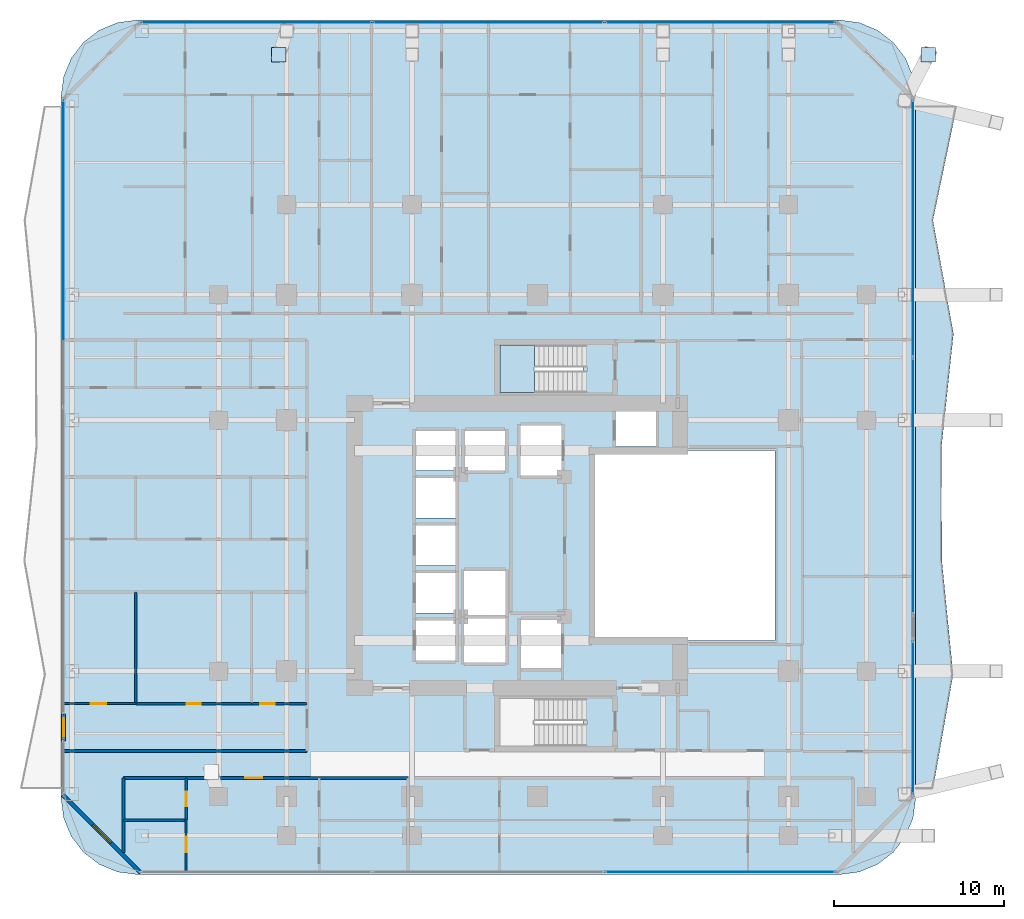
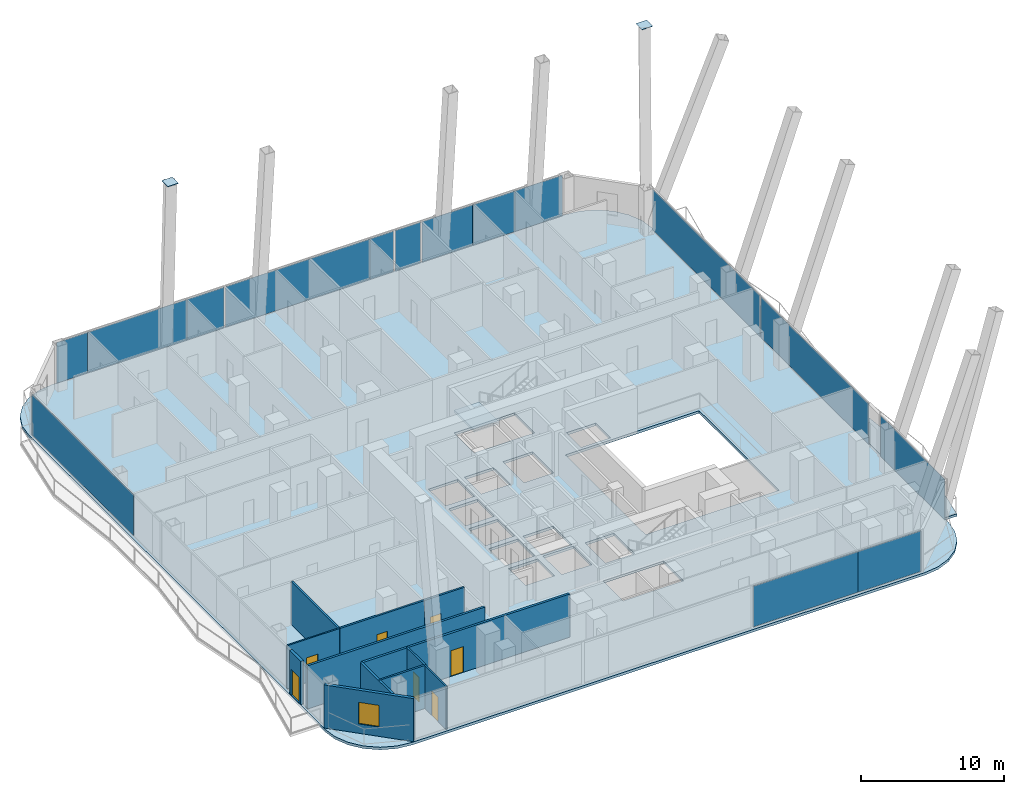
# One storey, part 23 of 32: 17 plates, 12 walls, 7 doors, 3 slabs, 1 window, 8 openings, 6 elements without a shape of their own.
"""IFC4 building model written with IfcOpenShell, lengths in metres."""

from ifc_helpers import new_model, si_unit, direction, frame, frame_2d, origin, origin_2d, place, context, subcontext, project, spatial, polyline, rectangle, outline, extrude, material, layer, layer_set, type_object, element, fill, aggregate, save


model = new_model("IFC4")

# Units and contexts
model_context = context("Model", 3, precision=1e-05, world=origin(), true_north=direction((0.0, 1.0)))
body_context = subcontext(model_context, "Body", "Model", "MODEL_VIEW")
ifc_project = project(units=[si_unit("LENGTHUNIT", "METRE"), si_unit("AREAUNIT", "SQUARE_METRE"), si_unit("VOLUMEUNIT", "CUBIC_METRE"), si_unit("PLANEANGLEUNIT", "RADIAN"), si_unit("MASSUNIT", "GRAM", prefix="KILO")], contexts=[model_context])

# Site, building, storey
site_placement = place(None, origin())
site = spatial("IfcSite", under=ifc_project, at=site_placement, CompositionType="ELEMENT")
building_placement = place(site_placement, origin())
building = spatial("IfcBuilding", under=site, at=building_placement, Name="Khorvyn Point Tower", CompositionType="ELEMENT")
storey_placement = place(building_placement, frame((0.0, 0.0, 93.0)))
storey = spatial("IfcBuildingStorey", under=building, at=storey_placement, Name="L23", CompositionType="ELEMENT", Elevation=93.0)

# Slabs
ifc_material_1 = material(Name="Concrete C35/45", Category="concrete")
ifc_layer_1 = layer(ifc_material_1, 0.219970703125)
ifc_layer_set_1 = layer_set([ifc_layer_1], Name="Concrete C35/45 Structural Floor Slab 220")
slab_type_1 = type_object("IfcSlabType", Name="Concrete C35/45 Structural Floor Slab 220", PredefinedType="FLOOR", material=ifc_layer_set_1)
slab_1_placement = place(storey_placement, frame((0.0, 0.0, -0.219970703125)))
element("IfcSlab", 1, at=slab_1_placement, inside=storey, type_object=slab_type_1, Name="L23 Main Structural Floor Slab", PredefinedType="FLOOR", context=body_context, shape_type="SweptSolid", body=[
    extrude(outline(polyline([(-23.60009765625, -19.39990234375), (-24.7646484375, -19.24658203125), (-25.85009765625, -18.797119140625), (-26.781982421875, -18.08203125), (-27.4970703125, -17.14990234375), (-27.94677734375, -16.064697265625), (-28.10009765625, -14.89990234375), (-28.10009765625, 26.5), (-27.94677734375, 27.664794921875), (-27.4970703125, 28.75), (-26.781982421875, 29.681884765625), (-25.85009765625, 30.397216796875), (-24.7646484375, 30.8466796875), (-23.60009765625, 31.0), (17.800048828125, 31.0), (18.964599609375, 30.8466796875), (20.050048828125, 30.397216796875), (20.98193359375, 29.681884765625), (21.697021484375, 28.75), (22.146728515625, 27.664794921875), (22.300048828125, 26.5), (22.300048828125, -14.89990234375), (22.146728515625, -16.064697265625), (21.697021484375, -17.14990234375), (20.98193359375, -18.08203125), (20.050048828125, -18.797119140625), (18.964599609375, -19.24658203125), (17.800048828125, -19.39990234375), (-23.60009765625, -19.39990234375)]), holes=[polyline([(-4.824951171875, -6.77490234375), (-4.824951171875, -4.425048828125), (-7.175048828125, -4.425048828125), (-7.175048828125, -6.77490234375), (-4.824951171875, -6.77490234375)]), polyline([(-4.324951171875, -6.89990234375), (-1.875, -6.89990234375), (-1.875, -4.300048828125), (-4.324951171875, -4.300048828125), (-4.324951171875, -6.89990234375)]), polyline([(-7.175048828125, -3.97509765625), (-4.824951171875, -3.97509765625), (-4.824951171875, -1.625), (-7.175048828125, -1.625), (-7.175048828125, -3.97509765625)]), polyline([(-7.175048828125, -1.175048828125), (-4.824951171875, -1.175048828125), (-4.824951171875, 1.175048828125), (-7.175048828125, 1.175048828125), (-7.175048828125, -1.175048828125)]), polyline([(-7.175048828125, 1.625), (-4.824951171875, 1.625), (-4.824951171875, 3.97509765625), (-7.175048828125, 3.97509765625), (-7.175048828125, 1.625)]), polyline([(-7.175048828125, 4.425048828125), (-4.824951171875, 4.425048828125), (-4.824951171875, 6.77490234375), (-7.175048828125, 6.77490234375), (-7.175048828125, 4.425048828125)]), polyline([(-4.27490234375, 4.425048828125), (-1.925048828125, 4.425048828125), (-1.925048828125, 6.77490234375), (-4.27490234375, 6.77490234375), (-4.27490234375, 4.425048828125)]), polyline([(2.679931640625, -11.820068359375), (2.679931640625, -9.02001953125), (-2.199951171875, -9.02001953125), (-2.199951171875, -11.820068359375), (2.679931640625, -11.820068359375)]), polyline([(-0.97509765625, -7.22509765625), (1.375, -7.22509765625), (1.375, -4.375), (-0.97509765625, -4.375), (-0.97509765625, -7.22509765625)]), polyline([(-4.324951171875, -4.10009765625), (-1.875, -4.10009765625), (-1.875, -1.5), (-4.324951171875, -1.5), (-4.324951171875, -4.10009765625)]), polyline([(3.199951171875, -5.60009765625), (14.0, -5.60009765625), (14.0, 5.60009765625), (3.199951171875, 5.60009765625), (3.199951171875, -5.60009765625)]), polyline([(-1.0, 4.125), (1.39990234375, 4.125), (1.39990234375, 7.074951171875), (-1.0, 7.074951171875), (-1.0, 4.125)]), polyline([(4.625, 5.85009765625), (6.97509765625, 5.85009765625), (6.97509765625, 7.905029296875), (4.625, 7.905029296875), (4.625, 5.85009765625)]), polyline([(-2.199951171875, 9.02001953125), (2.679931640625, 9.02001953125), (2.679931640625, 11.820068359375), (-2.199951171875, 11.820068359375), (-2.199951171875, 9.02001953125)])]), origin(), (0.0, 0.0, 1.0), 0.219970703125),
])
ifc_material_2 = material(Name="Concrete C40/50", Category="concrete")
ifc_layer_2 = layer(ifc_material_2, 0.2099609375)
ifc_layer_set_2 = layer_set([ifc_layer_2], Name="Concrete C40/50 Rippling Balcony Slab 210")
slab_type_2 = type_object("IfcSlabType", Name="Concrete C40/50 Rippling Balcony Slab 210", PredefinedType="USERDEFINED", material=ifc_layer_set_2)
slab_2_placement = place(storey_placement, frame((0.0, 0.0, -0.2099609375)))
element("IfcSlab", 2, at=slab_2_placement, inside=storey, type_object=slab_type_2, Name="L23 East Sinusoidal Rippling Balcony", ObjectType="BALCONY", PredefinedType="USERDEFINED", context=body_context, shape_type="SweptSolid", body=[
    extrude(outline(polyline([(22.300048828125, -14.300048828125), (23.327880859375, -14.300048828125), (24.509521484375, -7.60009765625), (23.848388671875, -0.89990234375), (23.82080078125, 5.800048828125), (24.5302734375, 12.5), (23.319580078125, 19.199951171875), (24.722412109375, 25.89990234375), (22.300048828125, 25.89990234375), (22.300048828125, -14.300048828125)])), origin(), (0.0, 0.0, 1.0), 0.2099609375),
])

# Stair, slab
stair_type = type_object("IfcStairType", Name="Tower Concrete C40/50 Dogleg Exit Stair", PredefinedType="HALF_TURN_STAIR", material=ifc_material_2)
stair_placement = place(storey_placement, origin())
stair = element("IfcStair", 3, at=stair_placement, inside=storey, type_object=stair_type, Name="L23 Tower Smokeproof Exit Stair North", PredefinedType="HALF_TURN_STAIR")
ifc_layer_3 = layer(ifc_material_2, 0.199951171875)
ifc_layer_set_3 = layer_set([ifc_layer_3], Name="Concrete C40/50 Stair Landing Slab 200")
slab_type_3 = type_object("IfcSlabType", Name="Concrete C40/50 Stair Landing Slab 200", PredefinedType="LANDING", material=ifc_layer_set_3)
slab_3_placement = place(storey_placement, frame((0.0, 0.0, 1.75)))
slab_3 = element("IfcSlab", 4, at=slab_3_placement, type_object=slab_type_3, Name="ST-02 landing 1", PredefinedType="LANDING", context=body_context, shape_type="SweptSolid", body=[
    extrude(outline(polyline([(-0.179931640625, 11.820068359375), (-2.199951171875, 11.820068359375), (-2.199951171875, 9.02001953125), (-0.179931640625, 9.02001953125), (-0.179931640625, 11.820068359375)])), origin(), (0.0, 0.0, 1.0), 0.199951171875),
])
aggregate(stair, [slab_3])

# Plates
ifc_material_3 = material(Name="Steel S450", Category="steel")
ifc_layer_4 = layer(ifc_material_3, 0.031982421875)
ifc_layer_set_4 = layer_set([ifc_layer_4], Name="Steel S450 Exoskeleton End Cap Plate 32")
plate_type_1 = type_object("IfcPlateType", Name="Steel S450 Exoskeleton End Cap Plate 32", PredefinedType="USERDEFINED", material=ifc_layer_set_4)
for number, where, z_axis, x_axis, name in (
    (5, (-15.250244140625, 28.94921875, 15.59423828125), (0.0, 0.0, 1.0), (1.0, 0.0, 0.0), "Plate"),
    (6, (23.05078125, 28.95166015625, 15.59375), (0.0, 0.0, 1.0), (1.0, 0.0, 0.0), "Plate"),
):
    element("IfcPlate", number, at=place(storey_placement, frame(where, z_axis=z_axis, x_axis=x_axis)), inside=storey, type_object=plate_type_1, Name=name, ObjectType="GUSSET", PredefinedType="USERDEFINED", context=body_context, shape_type="SweptSolid", body=[
        extrude(rectangle(XDim=0.860107421875, YDim=0.860107421875, at=origin_2d()), origin(), (0.0, 0.0, 1.0), 0.031982421875),
    ])

# Curtain wall, plates
ifc_material_4 = material(Name="Anodised aluminium 6063-T6 and laminated Low-E glass", Category="aluminium")
ifc_layer_5 = layer(ifc_material_4, 0.18994140625)
ifc_layer_set_5 = layer_set([ifc_layer_5], Name="Stick-Built Finned Residential Curtain Wall CW-SYS-02")
curtain_wall_type = type_object("IfcCurtainWallType", Name="Stick-Built Finned Residential Curtain Wall CW-SYS-02", PredefinedType="NOTDEFINED", material=ifc_layer_set_5)
curtain_wall_1_placement = place(storey_placement, origin())
curtain_wall_1 = element("IfcCurtainWall", 7, at=curtain_wall_1_placement, inside=storey, type_object=curtain_wall_type, Name="Curtain Wall", PredefinedType="NOTDEFINED")
ifc_material_5 = material(Name="Laminated Low-E insulated glass", Category="glass")
ifc_layer_6 = layer(ifc_material_5, 0.028076171875)
ifc_layer_set_6 = layer_set([ifc_layer_6], Name="Tempered Low-E Vision Glazing Panel CW-GL28")
plate_type_2 = type_object("IfcPlateType", Name="Tempered Low-E Vision Glazing Panel CW-GL28", PredefinedType="CURTAIN_PANEL", material=ifc_layer_set_6)
plate_1_placement = place(storey_placement, frame((8.237060546875, -19.25, 0.10009765625), z_axis=(0.0, 0.0, 1.0), x_axis=(-1.0, 0.0, 0.0)))
plate_1 = element("IfcPlate", 8, at=plate_1_placement, type_object=plate_type_2, Name="Panel", PredefinedType="CURTAIN_PANEL", context=body_context, shape_type="SweptSolid", body=[
    extrude(rectangle(XDim=8.466064453125, YDim=0.028076171875, at=origin_2d()), origin(), (0.0, 0.0, 1.0), 3.47998046875),
])
plate_2_placement = place(storey_placement, frame((15.011962890625, -19.25, 0.10009765625), z_axis=(0.0, 0.0, 1.0), x_axis=(-1.0, 0.0, 0.0)))
plate_2 = element("IfcPlate", 9, at=plate_2_placement, type_object=plate_type_2, Name="Panel", PredefinedType="CURTAIN_PANEL", context=body_context, shape_type="SweptSolid", body=[
    extrude(rectangle(XDim=5.068115234375, YDim=0.028076171875, at=origin_2d()), origin(), (0.0, 0.0, 1.0), 3.47998046875),
])
aggregate(curtain_wall_1, [plate_1, plate_2])

curtain_wall_2_placement = place(storey_placement, origin())
curtain_wall_2 = element("IfcCurtainWall", 10, at=curtain_wall_2_placement, inside=storey, type_object=curtain_wall_type, Name="Curtain Wall", PredefinedType="NOTDEFINED")
plate_3_placement = place(storey_placement, frame((-22.094482421875, 30.85009765625, 0.10009765625), z_axis=(0.0, 0.0, 1.0), x_axis=(1.0, 0.0, 0.0)))
plate_3 = element("IfcPlate", 11, at=plate_3_placement, type_object=plate_type_2, Name="Panel", PredefinedType="CURTAIN_PANEL", context=body_context, shape_type="SweptSolid", body=[
    extrude(rectangle(XDim=2.5029296875, YDim=0.028076171875, at=origin_2d()), origin(), (0.0, 0.0, 1.0), 3.47998046875),
])
plate_4_placement = place(storey_placement, frame((-16.825927734375, 30.85009765625, 0.10009765625), z_axis=(0.0, 0.0, 1.0), x_axis=(1.0, 0.0, 0.0)))
plate_4 = element("IfcPlate", 12, at=plate_4_placement, type_object=plate_type_2, Name="Panel", PredefinedType="CURTAIN_PANEL", context=body_context, shape_type="SweptSolid", body=[
    extrude(rectangle(XDim=8.01806640625, YDim=0.028076171875, at=origin_2d()), origin(), (0.0, 0.0, 1.0), 3.47998046875),
])
plate_5_placement = place(storey_placement, frame((-11.306396484375, 30.85009765625, 0.10009765625), z_axis=(0.0, 0.0, 1.0), x_axis=(1.0, 0.0, 0.0)))
plate_5 = element("IfcPlate", 13, at=plate_5_placement, type_object=plate_type_2, Name="Panel", PredefinedType="CURTAIN_PANEL", context=body_context, shape_type="SweptSolid", body=[
    extrude(rectangle(XDim=3.0048828125, YDim=0.028076171875, at=origin_2d()), origin(), (0.0, 0.0, 1.0), 3.47998046875),
])
plate_6_placement = place(storey_placement, frame((-3.85595703125, 30.85009765625, 0.10009765625), z_axis=(0.0, 0.0, 1.0), x_axis=(1.0, 0.0, 0.0)))
plate_6 = element("IfcPlate", 14, at=plate_6_placement, type_object=plate_type_2, Name="Panel", PredefinedType="CURTAIN_PANEL", context=body_context, shape_type="SweptSolid", body=[
    extrude(rectangle(XDim=11.679931640625, YDim=0.028076171875, at=origin_2d()), origin(), (0.0, 0.0, 1.0), 3.47998046875),
])
plate_7_placement = place(storey_placement, frame((2.944091796875, 30.85009765625, 0.10009765625), z_axis=(0.0, 0.0, 1.0), x_axis=(1.0, 0.0, 0.0)))
plate_7 = element("IfcPlate", 15, at=plate_7_placement, type_object=plate_type_2, Name="Panel", PredefinedType="CURTAIN_PANEL", context=body_context, shape_type="SweptSolid", body=[
    extrude(rectangle(XDim=1.904052734375, YDim=0.028076171875, at=origin_2d()), origin(), (0.0, 0.0, 1.0), 3.47998046875),
])
plate_8_placement = place(storey_placement, frame((5.028564453125, 30.85009765625, 0.10009765625), z_axis=(0.0, 0.0, 1.0), x_axis=(1.0, 0.0, 0.0)))
plate_8 = element("IfcPlate", 16, at=plate_8_placement, type_object=plate_type_2, Name="Panel", PredefinedType="CURTAIN_PANEL", context=body_context, shape_type="SweptSolid", body=[
    extrude(rectangle(XDim=2.049072265625, YDim=0.028076171875, at=origin_2d()), origin(), (0.0, 0.0, 1.0), 3.47998046875),
])
plate_9_placement = place(storey_placement, frame((8.22998046875, 30.85009765625, 0.10009765625), z_axis=(0.0, 0.0, 1.0), x_axis=(1.0, 0.0, 0.0)))
plate_9 = element("IfcPlate", 17, at=plate_9_placement, type_object=plate_type_2, Name="Panel", PredefinedType="CURTAIN_PANEL", context=body_context, shape_type="SweptSolid", body=[
    extrude(rectangle(XDim=4.097900390625, YDim=0.028076171875, at=origin_2d()), origin(), (0.0, 0.0, 1.0), 3.47998046875),
])
plate_10_placement = place(storey_placement, frame((11.98095703125, 30.85009765625, 0.10009765625), z_axis=(0.0, 0.0, 1.0), x_axis=(1.0, 0.0, 0.0)))
plate_10 = element("IfcPlate", 18, at=plate_10_placement, type_object=plate_type_2, Name="Panel", PredefinedType="CURTAIN_PANEL", context=body_context, shape_type="SweptSolid", body=[
    extrude(rectangle(XDim=3.387939453125, YDim=0.028076171875, at=origin_2d()), origin(), (0.0, 0.0, 1.0), 3.47998046875),
])
plate_11_placement = place(storey_placement, frame((15.614501953125, 30.85009765625, 0.10009765625), z_axis=(0.0, 0.0, 1.0), x_axis=(1.0, 0.0, 0.0)))
plate_11 = element("IfcPlate", 19, at=plate_11_placement, type_object=plate_type_2, Name="Panel", PredefinedType="CURTAIN_PANEL", context=body_context, shape_type="SweptSolid", body=[
    extrude(rectangle(XDim=3.863037109375, YDim=0.028076171875, at=origin_2d()), origin(), (0.0, 0.0, 1.0), 3.47998046875),
])
aggregate(curtain_wall_2, [plate_3, plate_4, plate_5, plate_6, plate_7, plate_8, plate_9, plate_10, plate_11])

# Curtain wall, plate
curtain_wall_3_placement = place(storey_placement, origin())
curtain_wall_3 = element("IfcCurtainWall", 20, at=curtain_wall_3_placement, inside=storey, type_object=curtain_wall_type, Name="Curtain Wall", PredefinedType="NOTDEFINED")
plate_12_placement = place(storey_placement, frame((-27.949951171875, 19.155029296875, 0.10009765625), z_axis=(0.0, 0.0, 1.0), x_axis=(0.0, 1.0, 0.0)))
plate_12 = element("IfcPlate", 21, at=plate_12_placement, type_object=plate_type_2, Name="Panel", PredefinedType="CURTAIN_PANEL", context=body_context, shape_type="SweptSolid", body=[
    extrude(rectangle(XDim=14.181884765625, YDim=0.028076171875, at=origin_2d()), origin(), (0.0, 0.0, 1.0), 3.47998046875),
])
aggregate(curtain_wall_3, [plate_12])

# Curtain wall, plates
curtain_wall_4_placement = place(storey_placement, origin())
curtain_wall_4 = element("IfcCurtainWall", 22, at=curtain_wall_4_placement, inside=storey, type_object=curtain_wall_type, Name="Curtain Wall", PredefinedType="NOTDEFINED")
plate_13_placement = place(storey_placement, frame((22.14990234375, 18.7099609375, 0.10009765625), z_axis=(0.0, 0.0, 1.0), x_axis=(0.0, -1.0, 0.0)))
plate_13 = element("IfcPlate", 23, at=plate_13_placement, type_object=plate_type_2, Name="Panel", PredefinedType="CURTAIN_PANEL", context=body_context, shape_type="SweptSolid", body=[
    extrude(rectangle(XDim=15.080078125, YDim=0.028076171875, at=origin_2d()), origin(), (0.0, 0.0, 1.0), 3.47998046875),
])
plate_14_placement = place(storey_placement, frame((22.14990234375, 3.530029296875, 0.10009765625), z_axis=(0.0, 0.0, 1.0), x_axis=(0.0, -1.0, 0.0)))
plate_14 = element("IfcPlate", 24, at=plate_14_placement, type_object=plate_type_2, Name="Panel", PredefinedType="CURTAIN_PANEL", context=body_context, shape_type="SweptSolid", body=[
    extrude(rectangle(XDim=15.080078125, YDim=0.028076171875, at=origin_2d()), origin(), (0.0, 0.0, 1.0), 3.47998046875),
])
aggregate(curtain_wall_4, [plate_13, plate_14])

# Curtain wall, plate
curtain_wall_5_placement = place(storey_placement, origin())
curtain_wall_5 = element("IfcCurtainWall", 25, at=curtain_wall_5_placement, inside=storey, type_object=curtain_wall_type, Name="Curtain Wall", PredefinedType="NOTDEFINED")
plate_15_placement = place(storey_placement, frame((22.14990234375, -10.14990234375, 0.10009765625), z_axis=(0.0, 0.0, 1.0), x_axis=(0.0, -1.0, 0.0)))
plate_15 = element("IfcPlate", 26, at=plate_15_placement, type_object=plate_type_2, Name="Panel", PredefinedType="CURTAIN_PANEL", context=body_context, shape_type="SweptSolid", body=[
    extrude(rectangle(XDim=9.0, YDim=0.028076171875, at=origin_2d()), origin(), (0.0, 0.0, 1.0), 3.47998046875),
])
aggregate(curtain_wall_5, [plate_15])

# Wall, opening, door
ifc_material_6 = material(Name="Double acoustic gypsum on twin steel stud", Category="steel")
ifc_layer_7 = layer(ifc_material_6, 0.179931640625)
ifc_layer_set_7 = layer_set([ifc_layer_7], Name="Acoustic Double-Stud Apartment Demising Wall 180")
wall_type_1 = type_object("IfcWallType", Name="Acoustic Double-Stud Apartment Demising Wall 180", PredefinedType="PARTITIONING", material=ifc_layer_set_7)
wall_1_placement = place(storey_placement, frame((-24.419921875, -13.699951171875, 0.0), z_axis=(0.0, 0.0, 1.0), x_axis=(1.0, 0.0, 0.0)))
wall_1 = element("IfcWall", 27, at=wall_1_placement, inside=storey, type_object=wall_type_1, Name="Wall", PredefinedType="PARTITIONING", context=body_context, shape_type="SweptSolid", body=[
    extrude(rectangle(XDim=16.785888671875, YDim=0.179931640625, at=frame_2d((8.39306640625, 0.0))), origin(), (0.0, 0.0, 1.0), 3.679931640625),
])
opening_1_placement = place(wall_1_placement, frame((7.173583984375, 0.0, 0.0)))
opening_1 = element("IfcOpeningElement", 28, at=opening_1_placement, cuts=wall_1, Name="Opening ID-AP60", PredefinedType="OPENING", context=body_context, shape_type="SweptSolid", body=[
    extrude(rectangle(XDim=1.0, YDim=2.199951171875, at=frame_2d((0.5, 1.10009765625))), frame((0.0, 0.099853515625, 0.0), z_axis=(0.0, -1.0, 0.0), x_axis=(1.0, 0.0, 0.0)), (0.0, 0.0, 1.0), 0.199951171875),
])
ifc_material_7 = material(Name="Engineered hardwood fire-rated leaf", Category="wood")
door_type_1 = type_object("IfcDoorType", Name="Acoustic Solid-Core Timber Apartment Entrance Door 1000x2200", OperationType="NOTDEFINED", PredefinedType="DOOR", material=ifc_material_7)
door_1_placement = place(opening_1_placement, origin())
door_1 = element("IfcDoor", 29, at=door_1_placement, inside=storey, type_object=door_type_1, Name="Door", OperationType="SINGLE_SWING_LEFT", OverallHeight=2.199951171875, OverallWidth=1.0, PredefinedType="DOOR", context=body_context, shape_type="SweptSolid", body=[
    extrude(rectangle(XDim=1.0, YDim=2.199951171875, at=frame_2d((0.5, 1.10009765625))), frame((0.0, 0.02490234375, 0.0), z_axis=(0.0, -1.0, 0.0), x_axis=(1.0, 0.0, 0.0)), (0.0, 0.0, 1.0), 0.050048828125),
])
fill(opening_1, door_1)

# Walls
wall_2_placement = place(storey_placement, frame((-24.419921875, -18.110107421875, 0.0), z_axis=(0.0, 0.0, 1.0), x_axis=(0.0, 1.0, 0.0)))
element("IfcWall", 30, at=wall_2_placement, inside=storey, type_object=wall_type_1, Name="Wall", PredefinedType="PARTITIONING", context=body_context, shape_type="SweptSolid", body=[
    extrude(rectangle(XDim=4.41015625, YDim=0.179931640625, at=frame_2d((2.205078125, 0.0))), origin(), (0.0, 0.0, 1.0), 3.679931640625),
])
wall_3_placement = place(storey_placement, frame((-27.929931640625, -12.1201171875, 0.0), z_axis=(0.0, 0.0, 1.0), x_axis=(1.0, 0.0, 0.0)))
element("IfcWall", 31, at=wall_3_placement, inside=storey, type_object=wall_type_1, Name="Wall", PredefinedType="PARTITIONING", context=body_context, shape_type="SweptSolid", body=[
    extrude(rectangle(XDim=14.329833984375, YDim=0.179931640625, at=frame_2d((7.1650390625, 0.0))), origin(), (0.0, 0.0, 1.0), 3.679931640625),
])

# Wall, opening, door
ifc_material_8 = material(Name="Pale anodised aluminium rainscreen on steel stud", Category="steel")
ifc_layer_8 = layer(ifc_material_8, 0.239990234375)
ifc_layer_set_8 = layer_set([ifc_layer_8], Name="Anodised Aluminium Insulated Corner Spandrel Wall 240")
wall_type_2 = type_object("IfcWallType", Name="Anodised Aluminium Insulated Corner Spandrel Wall 240", PredefinedType="SOLIDWALL", material=ifc_layer_set_8)
wall_4_placement = place(storey_placement, frame((-27.949951171875, -11.510009765625, 0.0), z_axis=(0.0, 0.0, 1.0), x_axis=(0.0, 1.0, 0.0)))
wall_4 = element("IfcWall", 32, at=wall_4_placement, inside=storey, type_object=wall_type_2, Name="L23 West Outdoor Threshold Wall", PredefinedType="SOLIDWALL", context=body_context, shape_type="SweptSolid", body=[
    extrude(rectangle(XDim=1.580078125, YDim=0.239990234375, at=frame_2d((0.7900390625, 0.0))), origin(), (0.0, 0.0, 1.0), 3.679931640625),
])
opening_2_placement = place(wall_4_placement, frame((0.239990234375, 0.0, 0.0)))
opening_2 = element("IfcOpeningElement", 33, at=opening_2_placement, cuts=wall_4, Name="Opening BD-1122", PredefinedType="OPENING", context=body_context, shape_type="SweptSolid", body=[
    extrude(rectangle(XDim=1.10009765625, YDim=2.199951171875, at=frame_2d((0.550048828125, 1.10009765625))), frame((0.0, 0.1298828125, 0.0), z_axis=(0.0, -1.0, 0.0), x_axis=(1.0, 0.0, 0.0)), (0.0, 0.0, 1.0), 0.260009765625),
])
door_type_2 = type_object("IfcDoorType", Name="Glazed Balcony and Terrace Threshold Door 1100x2200", OperationType="NOTDEFINED", PredefinedType="DOOR", material=ifc_material_4)
door_2_placement = place(opening_2_placement, origin())
door_2 = element("IfcDoor", 34, at=door_2_placement, inside=storey, type_object=door_type_2, Name="L23 West Glazed Balcony Outdoor Door", OperationType="SINGLE_SWING_LEFT", OverallHeight=2.199951171875, OverallWidth=1.10009765625, PredefinedType="DOOR", context=body_context, shape_type="SweptSolid", body=[
    extrude(rectangle(XDim=1.10009765625, YDim=2.199951171875, at=frame_2d((0.550048828125, 1.10009765625))), frame((0.0, 0.02490234375, 0.0), z_axis=(0.0, -1.0, 0.0), x_axis=(1.0, 0.0, 0.0)), (0.0, 0.0, 1.0), 0.050048828125),
])
fill(opening_2, door_2)

# Wall, opening, window
wall_5_placement = place(storey_placement, frame((-23.40771484375, -19.29248046875, 0.0), z_axis=(0.0, 0.0, 1.0), x_axis=(-0.707087954376, 0.707125607496, 0.0)))
wall_5 = element("IfcWall", 35, at=wall_5_placement, inside=storey, type_object=wall_type_2, Name="L23 Rounded Corner Wall SW", PredefinedType="SOLIDWALL", context=body_context, shape_type="SweptSolid", body=[
    extrude(rectangle(XDim=6.48388671875, YDim=0.239990234375, at=frame_2d((3.241943359375, 0.0))), origin(), (0.0, 0.0, 1.0), 3.679931640625),
])
opening_3_placement = place(wall_5_placement, frame((2.491943359375, 0.0, 0.800048828125)))
opening_3 = element("IfcOpeningElement", 36, at=opening_3_placement, cuts=wall_5, Name="Opening WN-1518", PredefinedType="OPENING", context=body_context, shape_type="SweptSolid", body=[
    extrude(rectangle(XDim=1.5, YDim=1.85009765625, at=frame_2d((0.75, 0.925048828125))), frame((0.0, 0.1298828125, 0.0), z_axis=(0.0, -1.0, 0.0), x_axis=(1.0, 0.0, 0.0)), (0.0, 0.0, 1.0), 0.260009765625),
])
window_type = type_object("IfcWindowType", Name="Anodised Aluminium Rounded-Corner Panoramic Window 1500x1850", PartitioningType="SINGLE_PANEL", PredefinedType="WINDOW", material=ifc_material_4)
window_placement = place(opening_3_placement, origin())
window = element("IfcWindow", 37, at=window_placement, inside=storey, type_object=window_type, Name="L23 Corner Panoramic Window SW", OverallHeight=1.85009765625, OverallWidth=1.5, PartitioningType="SINGLE_PANEL", PredefinedType="WINDOW", context=body_context, shape_type="SweptSolid", body=[
    extrude(rectangle(XDim=1.5, YDim=1.85009765625, at=frame_2d((0.75, 0.925048828125))), frame((0.0, 0.030029296875, 0.0), z_axis=(0.0, -1.0, 0.0), x_axis=(1.0, 0.0, 0.0)), (0.0, 0.0, 1.0), 0.06005859375),
])
fill(opening_3, window)

# Wall, opening, door
ifc_material_9 = material(Name="Gypsum plasterboard on steel stud", Category="steel")
ifc_layer_9 = layer(ifc_material_9, 0.1201171875)
ifc_layer_set_9 = layer_set([ifc_layer_9], Name="Gypsum Acoustic Stud Room Partition Wall 120")
wall_type_3 = type_object("IfcWallType", Name="Gypsum Acoustic Stud Room Partition Wall 120", PredefinedType="PARTITIONING", material=ifc_layer_set_9)
wall_6_placement = place(storey_placement, frame((-20.72607421875, -19.22998046875, 0.0), z_axis=(0.0, 0.0, 1.0), x_axis=(0.0, 1.0, 0.0)))
wall_6 = element("IfcWall", 38, at=wall_6_placement, inside=storey, type_object=wall_type_3, Name="Wall", PredefinedType="PARTITIONING", context=body_context, shape_type="SweptSolid", body=[
    extrude(rectangle(XDim=3.0400390625, YDim=0.1201171875, at=frame_2d((1.52001953125, 0.0))), origin(), (0.0, 0.0, 1.0), 3.679931640625),
])
opening_4_placement = place(wall_6_placement, frame((1.152587890625, 0.0, 0.0)))
opening_4 = element("IfcOpeningElement", 39, at=opening_4_placement, cuts=wall_6, Name="Opening ID-RM90", PredefinedType="OPENING", context=body_context, shape_type="SweptSolid", body=[
    extrude(rectangle(XDim=0.89990234375, YDim=2.10009765625, at=frame_2d((0.449951171875, 1.050048828125))), frame((0.0, 0.070068359375, 0.0), z_axis=(0.0, -1.0, 0.0), x_axis=(1.0, 0.0, 0.0)), (0.0, 0.0, 1.0), 0.14013671875),
])
ifc_material_10 = material(Name="Engineered oak veneer timber", Category="wood")
door_type_3 = type_object("IfcDoorType", Name="Flush Engineered Timber Room Door 900x2100", OperationType="NOTDEFINED", PredefinedType="DOOR", material=ifc_material_10)
door_3_placement = place(opening_4_placement, origin())
door_3 = element("IfcDoor", 40, at=door_3_placement, inside=storey, type_object=door_type_3, Name="Door", OperationType="SINGLE_SWING_LEFT", OverallHeight=2.10009765625, OverallWidth=0.89990234375, PredefinedType="DOOR", context=body_context, shape_type="SweptSolid", body=[
    extrude(rectangle(XDim=0.89990234375, YDim=2.10009765625, at=frame_2d((0.449951171875, 1.050048828125))), frame((0.0, 0.02490234375, 0.0), z_axis=(0.0, -1.0, 0.0), x_axis=(1.0, 0.0, 0.0)), (0.0, 0.0, 1.0), 0.050048828125),
])
fill(opening_4, door_3)

wall_7_placement = place(storey_placement, frame((-27.929931640625, -9.320068359375, 0.0), z_axis=(0.0, 0.0, 1.0), x_axis=(1.0, 0.0, 0.0)))
wall_7 = element("IfcWall", 41, at=wall_7_placement, inside=storey, type_object=wall_type_3, Name="Wall", PredefinedType="PARTITIONING", context=body_context, shape_type="SweptSolid", body=[
    extrude(rectangle(XDim=4.239990234375, YDim=0.1201171875, at=frame_2d((2.1201171875, 0.0))), origin(), (0.0, 0.0, 1.0), 3.679931640625),
])
opening_5_placement = place(wall_7_placement, frame((1.581298828125, 0.0, 0.0)))
opening_5 = element("IfcOpeningElement", 42, at=opening_5_placement, cuts=wall_7, Name="Opening ID-RM90", PredefinedType="OPENING", context=body_context, shape_type="SweptSolid", body=[
    extrude(rectangle(XDim=0.89990234375, YDim=2.10009765625, at=frame_2d((0.449951171875, 1.050048828125))), frame((0.0, 0.070068359375, 0.0), z_axis=(0.0, -1.0, 0.0), x_axis=(1.0, 0.0, 0.0)), (0.0, 0.0, 1.0), 0.14013671875),
])
door_4_placement = place(opening_5_placement, origin())
door_4 = element("IfcDoor", 43, at=door_4_placement, inside=storey, type_object=door_type_3, Name="Door", OperationType="SINGLE_SWING_LEFT", OverallHeight=2.10009765625, OverallWidth=0.89990234375, PredefinedType="DOOR", context=body_context, shape_type="SweptSolid", body=[
    extrude(rectangle(XDim=0.89990234375, YDim=2.10009765625, at=frame_2d((0.449951171875, 1.050048828125))), frame((0.0, 0.02490234375, 0.0), z_axis=(0.0, -1.0, 0.0), x_axis=(1.0, 0.0, 0.0)), (0.0, 0.0, 1.0), 0.050048828125),
])
fill(opening_5, door_4)

ifc_material_11 = material(Name="Moisture-resistant gypsum and cement board", Category="gypsum")
ifc_layer_10 = layer(ifc_material_11, 0.14990234375)
ifc_layer_set_10 = layer_set([ifc_layer_10], Name="Moisture-Resistant Wet-Room Partition Wall 150")
wall_type_4 = type_object("IfcWallType", Name="Moisture-Resistant Wet-Room Partition Wall 150", PredefinedType="PARTITIONING", material=ifc_layer_set_10)
wall_8_placement = place(storey_placement, frame((-20.72607421875, -16.18994140625, 0.0), z_axis=(0.0, 0.0, 1.0), x_axis=(0.0, 1.0, 0.0)))
wall_8 = element("IfcWall", 44, at=wall_8_placement, inside=storey, type_object=wall_type_4, Name="Wall", PredefinedType="PARTITIONING", context=body_context, shape_type="SweptSolid", body=[
    extrude(rectangle(XDim=2.489990234375, YDim=0.14990234375, at=frame_2d((1.2451171875, 0.0))), origin(), (0.0, 0.0, 1.0), 3.679931640625),
])
opening_6_placement = place(wall_8_placement, frame((0.820068359375, 0.0, 0.0)))
opening_6 = element("IfcOpeningElement", 45, at=opening_6_placement, cuts=wall_8, Name="Opening ID-WC85", PredefinedType="OPENING", context=body_context, shape_type="SweptSolid", body=[
    extrude(rectangle(XDim=0.85009765625, YDim=2.10009765625, at=frame_2d((0.425048828125, 1.050048828125))), frame((0.0, 0.0849609375, 0.0), z_axis=(0.0, -1.0, 0.0), x_axis=(1.0, 0.0, 0.0)), (0.0, 0.0, 1.0), 0.169921875),
])
ifc_material_12 = material(Name="High-pressure laminate on moisture-resistant core", Category="wood")
door_type_4 = type_object("IfcDoorType", Name="Moisture-Resistant Accessible Washroom Door 850x2100", OperationType="NOTDEFINED", PredefinedType="DOOR", material=ifc_material_12)
door_5_placement = place(opening_6_placement, origin())
door_5 = element("IfcDoor", 46, at=door_5_placement, inside=storey, type_object=door_type_4, Name="Door", OperationType="SINGLE_SWING_RIGHT", OverallHeight=2.10009765625, OverallWidth=0.85009765625, PredefinedType="DOOR", context=body_context, shape_type="SweptSolid", body=[
    extrude(rectangle(XDim=0.85009765625, YDim=2.10009765625, at=frame_2d((0.425048828125, 1.050048828125))), frame((0.0, 0.02490234375, 0.0), z_axis=(0.0, -1.0, 0.0), x_axis=(1.0, 0.0, 0.0)), (0.0, 0.0, 1.0), 0.050048828125),
])
fill(opening_6, door_5)

wall_9_placement = place(storey_placement, frame((-23.68994140625, -9.320068359375, 0.0), z_axis=(0.0, 0.0, 1.0), x_axis=(1.0, 0.0, 0.0)))
wall_9 = element("IfcWall", 47, at=wall_9_placement, inside=storey, type_object=wall_type_4, Name="Wall", PredefinedType="PARTITIONING", context=body_context, shape_type="SweptSolid", body=[
    extrude(rectangle(XDim=6.826904296875, YDim=0.14990234375, at=frame_2d((3.41357421875, 0.0))), origin(), (0.0, 0.0, 1.0), 3.679931640625),
])
opening_7_placement = place(wall_9_placement, frame((2.988525390625, 0.0, 0.0)))
opening_7 = element("IfcOpeningElement", 48, at=opening_7_placement, cuts=wall_9, Name="Opening ID-WC85", PredefinedType="OPENING", context=body_context, shape_type="SweptSolid", body=[
    extrude(rectangle(XDim=0.85009765625, YDim=2.10009765625, at=frame_2d((0.425048828125, 1.050048828125))), frame((0.0, 0.0849609375, 0.0), z_axis=(0.0, -1.0, 0.0), x_axis=(1.0, 0.0, 0.0)), (0.0, 0.0, 1.0), 0.169921875),
])
door_6_placement = place(opening_7_placement, origin())
door_6 = element("IfcDoor", 49, at=door_6_placement, inside=storey, type_object=door_type_4, Name="Door", OperationType="SINGLE_SWING_LEFT", OverallHeight=2.10009765625, OverallWidth=0.85009765625, PredefinedType="DOOR", context=body_context, shape_type="SweptSolid", body=[
    extrude(rectangle(XDim=0.85009765625, YDim=2.10009765625, at=frame_2d((0.425048828125, 1.050048828125))), frame((0.0, 0.02490234375, 0.0), z_axis=(0.0, -1.0, 0.0), x_axis=(1.0, 0.0, 0.0)), (0.0, 0.0, 1.0), 0.050048828125),
])
fill(opening_7, door_6)

wall_10_placement = place(storey_placement, frame((-16.863037109375, -9.320068359375, 0.0), z_axis=(0.0, 0.0, 1.0), x_axis=(1.0, 0.0, 0.0)))
wall_10 = element("IfcWall", 50, at=wall_10_placement, inside=storey, type_object=wall_type_4, Name="Wall", PredefinedType="PARTITIONING", context=body_context, shape_type="SweptSolid", body=[
    extrude(rectangle(XDim=3.262939453125, YDim=0.14990234375, at=frame_2d((1.63134765625, 0.0))), origin(), (0.0, 0.0, 1.0), 3.679931640625),
])
opening_8_placement = place(wall_10_placement, frame((0.5087890625, 0.0, 0.0)))
opening_8 = element("IfcOpeningElement", 51, at=opening_8_placement, cuts=wall_10, Name="Opening ID-WC85", PredefinedType="OPENING", context=body_context, shape_type="SweptSolid", body=[
    extrude(rectangle(XDim=0.85009765625, YDim=2.10009765625, at=frame_2d((0.425048828125, 1.050048828125))), frame((0.0, 0.0849609375, 0.0), z_axis=(0.0, -1.0, 0.0), x_axis=(1.0, 0.0, 0.0)), (0.0, 0.0, 1.0), 0.169921875),
])
door_7_placement = place(opening_8_placement, origin())
door_7 = element("IfcDoor", 52, at=door_7_placement, inside=storey, type_object=door_type_4, Name="Door", OperationType="SINGLE_SWING_RIGHT", OverallHeight=2.10009765625, OverallWidth=0.85009765625, PredefinedType="DOOR", context=body_context, shape_type="SweptSolid", body=[
    extrude(rectangle(XDim=0.85009765625, YDim=2.10009765625, at=frame_2d((0.425048828125, 1.050048828125))), frame((0.0, 0.02490234375, 0.0), z_axis=(0.0, -1.0, 0.0), x_axis=(1.0, 0.0, 0.0)), (0.0, 0.0, 1.0), 0.050048828125),
])
fill(opening_8, door_7)

# Walls
wall_11_placement = place(storey_placement, frame((-24.419921875, -16.18994140625, 0.0), z_axis=(0.0, 0.0, 1.0), x_axis=(1.0, 0.0, 0.0)))
element("IfcWall", 53, at=wall_11_placement, inside=storey, type_object=wall_type_4, Name="Wall", PredefinedType="PARTITIONING", context=body_context, shape_type="SweptSolid", body=[
    extrude(rectangle(XDim=3.69384765625, YDim=0.14990234375, at=frame_2d((1.846923828125, 0.0))), origin(), (0.0, 0.0, 1.0), 3.679931640625),
])
wall_12_placement = place(storey_placement, frame((-23.68994140625, -9.320068359375, 0.0), z_axis=(0.0, 0.0, 1.0), x_axis=(0.0, 1.0, 0.0)))
element("IfcWall", 54, at=wall_12_placement, inside=storey, type_object=wall_type_4, Name="Wall", PredefinedType="PARTITIONING", context=body_context, shape_type="SweptSolid", body=[
    extrude(rectangle(XDim=6.589111328125, YDim=0.14990234375, at=frame_2d((3.29443359375, 0.0))), origin(), (0.0, 0.0, 1.0), 3.679931640625),
])

save(model, "model.ifc")
